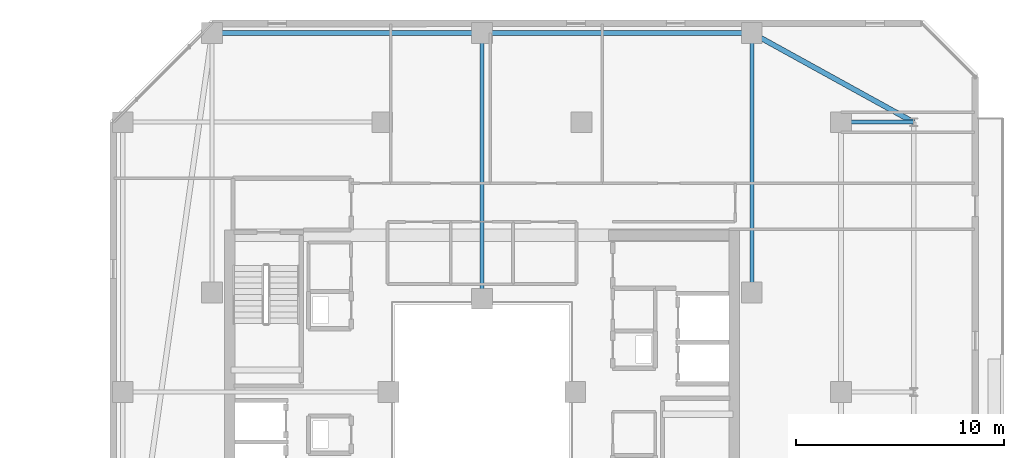
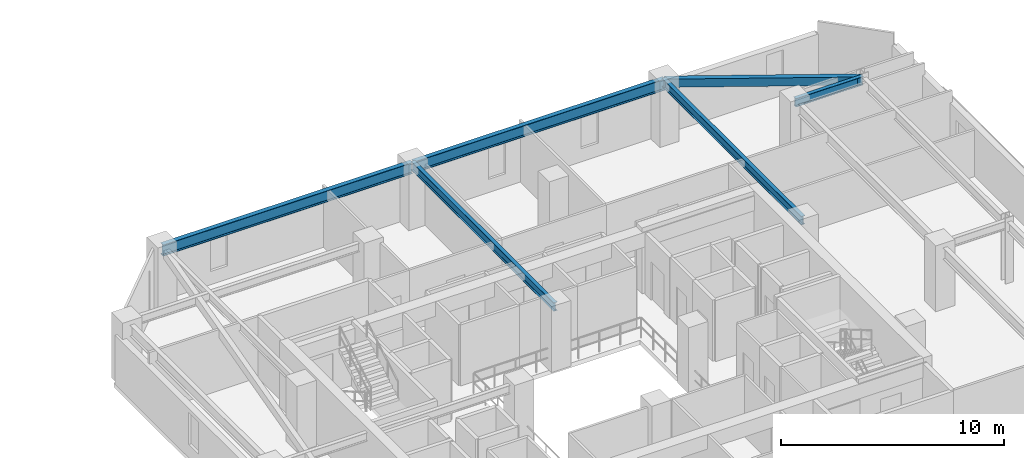
# One storey, part 15 of 32: 6 beams.
"""IFC4 building model written with IfcOpenShell, lengths in metres."""

from ifc_helpers import new_model, si_unit, direction, frame, origin, origin_2d, place, context, subcontext, project, spatial, hollow_rectangle, i_section, extrude, material, material_profile, profile_set, type_object, element, save


model = new_model("IFC4")

# Units and contexts
model_context = context("Model", 3, precision=1e-05, world=origin(), true_north=direction((0.0, 1.0)))
body_context = subcontext(model_context, "Body", "Model", "MODEL_VIEW")
ifc_project = project(units=[si_unit("LENGTHUNIT", "METRE"), si_unit("AREAUNIT", "SQUARE_METRE"), si_unit("VOLUMEUNIT", "CUBIC_METRE"), si_unit("PLANEANGLEUNIT", "RADIAN"), si_unit("MASSUNIT", "GRAM", prefix="KILO")], contexts=[model_context])

# Site, building, storey
site_placement = place(None, origin())
site = spatial("IfcSite", under=ifc_project, at=site_placement, CompositionType="ELEMENT")
building_placement = place(site_placement, origin())
building = spatial("IfcBuilding", under=site, at=building_placement, Name="Thornwick Lancets Civic Towers", CompositionType="ELEMENT")
storey_placement = place(building_placement, frame((0.0, 0.0, 247.5)))
storey = spatial("IfcBuildingStorey", under=building, at=storey_placement, Name="L66", CompositionType="ELEMENT", Elevation=247.5)

# Beams
ifc_material = material(Name="Steel S355JR", Category="steel")
ifc_material_profile_1 = material_profile(ifc_material, i_section(OverallWidth=0.230224609375, OverallDepth=0.6171875, WebThickness=0.01318359375, FlangeThickness=0.022216796875, FilletRadius=0.0126953125, at=origin_2d()), Name="UKB 610x229x140")
ifc_profile_set_1 = profile_set([ifc_material_profile_1], Name="Steel S355JR")
beam_type_1 = type_object("IfcBeamType", Name="BM_GIRD_610_140", PredefinedType="BEAM", material=ifc_profile_set_1)
beam_1_placement = place(storey_placement, frame((101.5, 44.300048828125, 3.051513671875), z_axis=(-1.0, 0.0, 0.0), x_axis=(0.0, -1.0, 0.0)))
element("IfcBeam", 1, at=beam_1_placement, inside=storey, type_object=beam_type_1, Name="BM-SPINE-L66-B-3-4", PredefinedType="BEAM", context=body_context, shape_type="SweptSolid", body=[
    extrude(i_section(OverallWidth=0.230224609375, OverallDepth=0.6171875, WebThickness=0.01318359375, FlangeThickness=0.022216796875, FilletRadius=0.0126953125, at=origin_2d()), origin(), (0.0, 0.0, 1.0), 13.0),
])
beam_2_placement = place(storey_placement, frame((88.419921875, 44.300048828125, 3.051513671875), z_axis=(-1.0, 0.0, 0.0), x_axis=(0.0, -1.0, 0.0)))
element("IfcBeam", 2, at=beam_2_placement, inside=storey, type_object=beam_type_1, Name="BM-SPINE-L66-B-4-5", PredefinedType="BEAM", context=body_context, shape_type="SweptSolid", body=[
    extrude(i_section(OverallWidth=0.230224609375, OverallDepth=0.6171875, WebThickness=0.01318359375, FlangeThickness=0.022216796875, FilletRadius=0.0126953125, at=origin_2d()), origin(), (0.0, 0.0, 1.0), 12.919921875),
])
ifc_material_profile_2 = material_profile(ifc_material, i_section(OverallWidth=0.19189453125, OverallDepth=0.46337890625, WebThickness=0.010498046875, FlangeThickness=0.017578125, FilletRadius=0.01025390625, at=origin_2d()), Name="UKB 457x191x89")
ifc_profile_set_2 = profile_set([ifc_material_profile_2], Name="Steel S355JR")
beam_type_2 = type_object("IfcBeamType", Name="BM_JOIST_457_89", PredefinedType="JOIST", material=ifc_profile_set_2)
beam_3_placement = place(storey_placement, frame((105.800048828125, 40.0, 3.12841796875), z_axis=(1.0, 0.0, 0.0), x_axis=(0.0, 1.0, 0.0)))
element("IfcBeam", 3, at=beam_3_placement, inside=storey, type_object=beam_type_2, Name="BM-RAD-L66-B03", PredefinedType="JOIST", context=body_context, shape_type="SweptSolid", body=[
    extrude(i_section(OverallWidth=0.19189453125, OverallDepth=0.46337890625, WebThickness=0.010498046875, FlangeThickness=0.017578125, FilletRadius=0.01025390625, at=origin_2d()), origin(), (0.0, 0.0, 1.0), 3.5),
])
beam_4_placement = place(storey_placement, frame((101.5, 31.800048828125, 3.12841796875), z_axis=(0.0, 1.0, 0.0), x_axis=(-1.0, 0.0, 0.0)))
element("IfcBeam", 4, at=beam_4_placement, inside=storey, type_object=beam_type_2, Name="BM-RADIN-L66-B04", PredefinedType="JOIST", context=body_context, shape_type="SweptSolid", body=[
    extrude(i_section(OverallWidth=0.19189453125, OverallDepth=0.46337890625, WebThickness=0.010498046875, FlangeThickness=0.017578125, FilletRadius=0.01025390625, at=origin_2d()), origin(), (0.0, 0.0, 1.0), 12.5),
])
beam_5_placement = place(storey_placement, frame((88.5, 31.5, 3.12841796875), z_axis=(0.0, 1.0, 0.0), x_axis=(-1.0, 0.0, 0.0)))
element("IfcBeam", 5, at=beam_5_placement, inside=storey, type_object=beam_type_2, Name="BM-RADIN-L66-B05", PredefinedType="JOIST", context=body_context, shape_type="SweptSolid", body=[
    extrude(i_section(OverallWidth=0.19189453125, OverallDepth=0.46337890625, WebThickness=0.010498046875, FlangeThickness=0.017578125, FilletRadius=0.01025390625, at=origin_2d()), origin(), (0.0, 0.0, 1.0), 12.800048828125),
])
ifc_material_profile_3 = material_profile(ifc_material, hollow_rectangle(XDim=0.25, YDim=0.449951171875, WallThickness=0.01611328125, at=origin_2d()), Name="RHS 450x250x16")
ifc_profile_set_3 = profile_set([ifc_material_profile_3], Name="Steel S355JR")
beam_type_3 = type_object("IfcBeamType", Name="BM_RING_RHS450", PredefinedType="BEAM", material=ifc_profile_set_3)
beam_6_placement = place(storey_placement, frame((109.300048828125, 40.0, 3.135009765625), z_axis=(-0.875740348708, 0.482782395749, 0.0), x_axis=(-0.482782395749, -0.875740348708, 0.0)))
element("IfcBeam", 6, at=beam_6_placement, inside=storey, type_object=beam_type_3, Name="BM-CHAMF-L66-B-C0", PredefinedType="BEAM", context=body_context, shape_type="SweptSolid", body=[
    extrude(hollow_rectangle(XDim=0.25, YDim=0.449951171875, WallThickness=0.01611328125, at=origin_2d()), origin(), (0.0, 0.0, 1.0), 8.90673828125),
])

save(model, "model.ifc")
